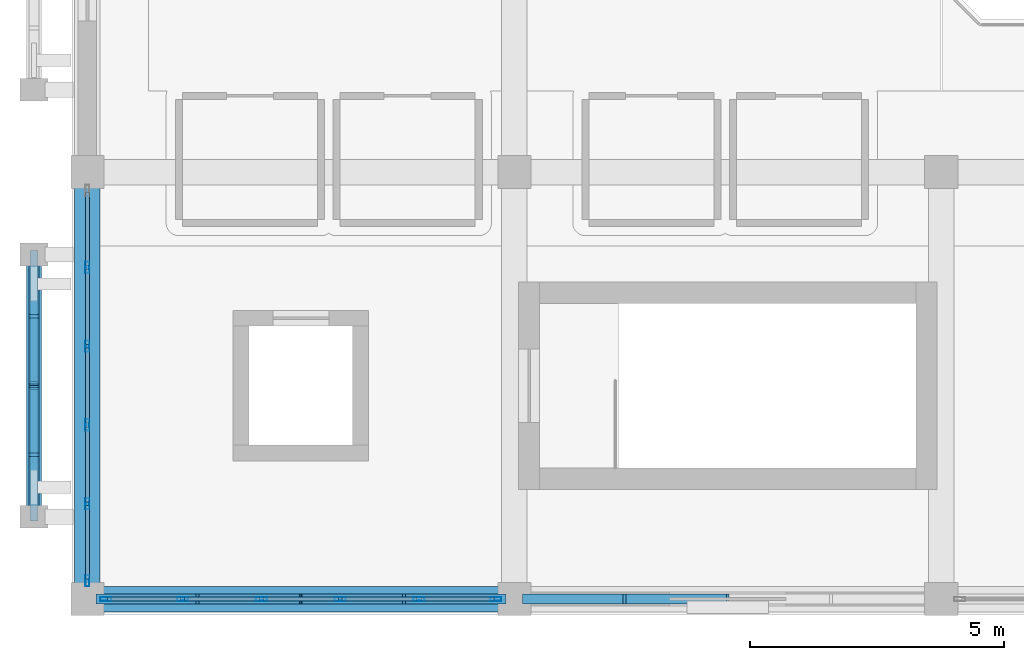
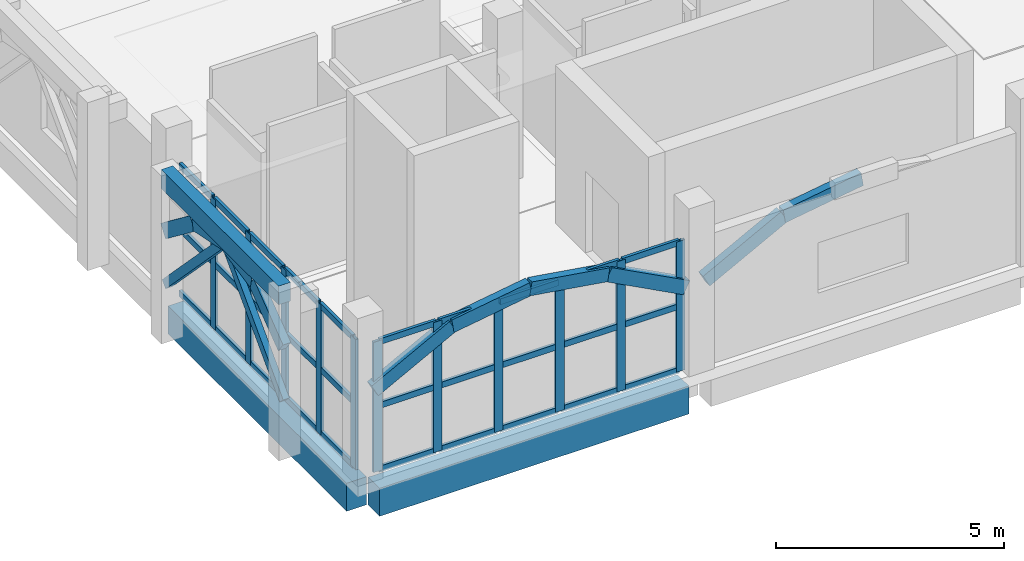
# One storey, part 2 of 16: 53 members, 3 beams, 2 elements without a shape of their own.
"""IFC4 building model written with IfcOpenShell, lengths in metres."""

from ifc_helpers import new_model, si_unit, direction, frame, origin, origin_2d, place, context, subcontext, project, spatial, rectangle, hollow_rectangle, extrude, material, layer, layer_set, material_profile, profile_set, type_object, element, aggregate, save


model = new_model("IFC4")

# Units and contexts
model_context = context("Model", 3, precision=1e-05, world=origin(), true_north=direction((0.0, 1.0)))
body_context = subcontext(model_context, "Body", "Model", "MODEL_VIEW")
ifc_project = project(units=[si_unit("LENGTHUNIT", "METRE"), si_unit("AREAUNIT", "SQUARE_METRE"), si_unit("VOLUMEUNIT", "CUBIC_METRE"), si_unit("PLANEANGLEUNIT", "RADIAN"), si_unit("MASSUNIT", "GRAM", prefix="KILO")], contexts=[model_context])

# Site, building, storey
site_placement = place(None, origin())
site = spatial("IfcSite", under=ifc_project, at=site_placement, CompositionType="ELEMENT")
building_placement = place(site_placement, origin())
building = spatial("IfcBuilding", under=site, at=building_placement, Name="Xazarin Passage Department Store", CompositionType="ELEMENT")
storey_placement = place(building_placement, frame((0.0, 0.0, 32.39990234375)))
storey = spatial("IfcBuildingStorey", under=building, at=storey_placement, Name="L07", CompositionType="ELEMENT", Elevation=32.39990234375)

# Curtain wall, members
ifc_material_1 = material(Name="Bronze anodised aluminium", Category="aluminium")
ifc_layer = layer(ifc_material_1, 0.199951171875)
ifc_layer_set = layer_set([ifc_layer], Name="Bronze anodised aluminium")
curtain_wall_type = type_object("IfcCurtainWallType", Name="ARC-CW-VIT2", PredefinedType="NOTDEFINED", material=ifc_layer_set)
curtain_wall_1_placement = place(storey_placement, origin())
curtain_wall_1 = element("IfcCurtainWall", 1, at=curtain_wall_1_placement, inside=storey, type_object=curtain_wall_type, Name="L07 V1 Curtain Wall 091", PredefinedType="NOTDEFINED")
ifc_material_profile_1 = material_profile(ifc_material_1, hollow_rectangle(XDim=0.074951171875, YDim=0.219970703125, WallThickness=0.0048828125, at=origin_2d()), Name="ALU 75x220")
ifc_profile_set_1 = profile_set([ifc_material_profile_1], Name="Bronze anodised aluminium")
member_type_1 = type_object("IfcMemberType", Name="ARC-CWM-75x220", PredefinedType="MULLION", material=ifc_profile_set_1)
member_1_placement = place(storey_placement, frame((0.362548828125, 76.39990234375, 0.0), z_axis=(0.0, 0.0, 1.0), x_axis=(0.0, 1.0, 0.0)))
member_1 = element("IfcMember", 2, at=member_1_placement, type_object=member_type_1, Name="CW2 mullion 1", PredefinedType="MULLION", context=body_context, shape_type="SweptSolid", body=[
    extrude(hollow_rectangle(XDim=0.074951171875, YDim=0.219970703125, WallThickness=0.0048828125, at=origin_2d()), origin(), (0.0, 0.0, 1.0), 3.489990234375),
])
member_2_placement = place(storey_placement, frame((1.875, 76.39990234375, 0.0), z_axis=(0.0, 0.0, 1.0), x_axis=(0.0, 1.0, 0.0)))
member_2 = element("IfcMember", 3, at=member_2_placement, type_object=member_type_1, Name="CW2 mullion 2", PredefinedType="MULLION", context=body_context, shape_type="SweptSolid", body=[
    extrude(hollow_rectangle(XDim=0.074951171875, YDim=0.219970703125, WallThickness=0.0048828125, at=origin_2d()), origin(), (0.0, 0.0, 1.0), 3.489990234375),
])
member_3_placement = place(storey_placement, frame((3.425048828125, 76.39990234375, 0.0), z_axis=(0.0, 0.0, 1.0), x_axis=(0.0, 1.0, 0.0)))
member_3 = element("IfcMember", 4, at=member_3_placement, type_object=member_type_1, Name="CW2 mullion 3", PredefinedType="MULLION", context=body_context, shape_type="SweptSolid", body=[
    extrude(hollow_rectangle(XDim=0.074951171875, YDim=0.219970703125, WallThickness=0.0048828125, at=origin_2d()), origin(), (0.0, 0.0, 1.0), 3.489990234375),
])
member_4_placement = place(storey_placement, frame((4.97509765625, 76.39990234375, 0.0), z_axis=(0.0, 0.0, 1.0), x_axis=(0.0, 1.0, 0.0)))
member_4 = element("IfcMember", 5, at=member_4_placement, type_object=member_type_1, Name="CW2 mullion 4", PredefinedType="MULLION", context=body_context, shape_type="SweptSolid", body=[
    extrude(hollow_rectangle(XDim=0.074951171875, YDim=0.219970703125, WallThickness=0.0048828125, at=origin_2d()), origin(), (0.0, 0.0, 1.0), 3.489990234375),
])
member_5_placement = place(storey_placement, frame((6.52490234375, 76.39990234375, 0.0), z_axis=(0.0, 0.0, 1.0), x_axis=(0.0, 1.0, 0.0)))
member_5 = element("IfcMember", 6, at=member_5_placement, type_object=member_type_1, Name="CW2 mullion 5", PredefinedType="MULLION", context=body_context, shape_type="SweptSolid", body=[
    extrude(hollow_rectangle(XDim=0.074951171875, YDim=0.219970703125, WallThickness=0.0048828125, at=origin_2d()), origin(), (0.0, 0.0, 1.0), 3.489990234375),
])
member_6_placement = place(storey_placement, frame((8.03759765625, 76.39990234375, 0.0), z_axis=(0.0, 0.0, 1.0), x_axis=(0.0, 1.0, 0.0)))
member_6 = element("IfcMember", 7, at=member_6_placement, type_object=member_type_1, Name="CW2 mullion 6", PredefinedType="MULLION", context=body_context, shape_type="SweptSolid", body=[
    extrude(hollow_rectangle(XDim=0.074951171875, YDim=0.219970703125, WallThickness=0.0048828125, at=origin_2d()), origin(), (0.0, 0.0, 1.0), 3.489990234375),
])

curtain_wall_2_placement = place(storey_placement, origin())
curtain_wall_2 = element("IfcCurtainWall", 8, at=curtain_wall_2_placement, inside=storey, type_object=curtain_wall_type, Name="L07 V1 Curtain Wall 095", PredefinedType="NOTDEFINED")
member_7_placement = place(storey_placement, frame((0.0, 76.762451171875, 0.0), z_axis=(0.0, 0.0, 1.0), x_axis=(-1.0, 0.0, 0.0)))
member_7 = element("IfcMember", 9, at=member_7_placement, type_object=member_type_1, Name="CW2 mullion 1", PredefinedType="MULLION", context=body_context, shape_type="SweptSolid", body=[
    extrude(hollow_rectangle(XDim=0.074951171875, YDim=0.219970703125, WallThickness=0.0048828125, at=origin_2d()), origin(), (0.0, 0.0, 1.0), 3.489990234375),
])
member_8_placement = place(storey_placement, frame((0.0, 78.27490234375, 0.0), z_axis=(0.0, 0.0, 1.0), x_axis=(-1.0, 0.0, 0.0)))
member_8 = element("IfcMember", 10, at=member_8_placement, type_object=member_type_1, Name="CW2 mullion 2", PredefinedType="MULLION", context=body_context, shape_type="SweptSolid", body=[
    extrude(hollow_rectangle(XDim=0.074951171875, YDim=0.219970703125, WallThickness=0.0048828125, at=origin_2d()), origin(), (0.0, 0.0, 1.0), 3.489990234375),
])
member_9_placement = place(storey_placement, frame((0.0, 79.824951171875, 0.0), z_axis=(0.0, 0.0, 1.0), x_axis=(-1.0, 0.0, 0.0)))
member_9 = element("IfcMember", 11, at=member_9_placement, type_object=member_type_1, Name="CW2 mullion 3", PredefinedType="MULLION", context=body_context, shape_type="SweptSolid", body=[
    extrude(hollow_rectangle(XDim=0.074951171875, YDim=0.219970703125, WallThickness=0.0048828125, at=origin_2d()), origin(), (0.0, 0.0, 1.0), 3.489990234375),
])
member_10_placement = place(storey_placement, frame((0.0, 81.375, 0.0), z_axis=(0.0, 0.0, 1.0), x_axis=(-1.0, 0.0, 0.0)))
member_10 = element("IfcMember", 12, at=member_10_placement, type_object=member_type_1, Name="CW2 mullion 4", PredefinedType="MULLION", context=body_context, shape_type="SweptSolid", body=[
    extrude(hollow_rectangle(XDim=0.074951171875, YDim=0.219970703125, WallThickness=0.0048828125, at=origin_2d()), origin(), (0.0, 0.0, 1.0), 3.489990234375),
])
member_11_placement = place(storey_placement, frame((0.0, 82.925048828125, 0.0), z_axis=(0.0, 0.0, 1.0), x_axis=(-1.0, 0.0, 0.0)))
member_11 = element("IfcMember", 13, at=member_11_placement, type_object=member_type_1, Name="CW2 mullion 5", PredefinedType="MULLION", context=body_context, shape_type="SweptSolid", body=[
    extrude(hollow_rectangle(XDim=0.074951171875, YDim=0.219970703125, WallThickness=0.0048828125, at=origin_2d()), origin(), (0.0, 0.0, 1.0), 3.489990234375),
])

# Member
ifc_material_profile_2 = material_profile(ifc_material_1, hollow_rectangle(XDim=0.074951171875, YDim=0.159912109375, WallThickness=0.00439453125, at=origin_2d()), Name="ALU 75x160")
ifc_profile_set_2 = profile_set([ifc_material_profile_2], Name="Bronze anodised aluminium")
member_type_2 = type_object("IfcMemberType", Name="ARC-CWT-75x160", PredefinedType="USERDEFINED", material=ifc_profile_set_2)
member_12_placement = place(storey_placement, frame((0.39990234375, 76.39990234375, 0.03759765625), z_axis=(1.0, 0.0, 0.0), x_axis=(0.0, 1.0, 0.0)))
member_12 = element("IfcMember", 14, at=member_12_placement, type_object=member_type_2, Name="CW2 transom 1.1", ObjectType="TRANSOM", PredefinedType="USERDEFINED", context=body_context, shape_type="SweptSolid", body=[
    extrude(hollow_rectangle(XDim=0.074951171875, YDim=0.159912109375, WallThickness=0.00439453125, at=origin_2d()), origin(), (0.0, 0.0, 1.0), 1.4375),
])

member_13_placement = place(storey_placement, frame((0.39990234375, 76.39990234375, 1.7451171875), z_axis=(1.0, 0.0, 0.0), x_axis=(0.0, 1.0, 0.0)))
member_13 = element("IfcMember", 15, at=member_13_placement, type_object=member_type_2, Name="CW2 transom 1.2", ObjectType="TRANSOM", PredefinedType="USERDEFINED", context=body_context, shape_type="SweptSolid", body=[
    extrude(hollow_rectangle(XDim=0.074951171875, YDim=0.159912109375, WallThickness=0.00439453125, at=origin_2d()), origin(), (0.0, 0.0, 1.0), 1.4375),
])

member_14_placement = place(storey_placement, frame((0.39990234375, 76.39990234375, 3.45263671875), z_axis=(1.0, 0.0, 0.0), x_axis=(0.0, 1.0, 0.0)))
member_14 = element("IfcMember", 16, at=member_14_placement, type_object=member_type_2, Name="CW2 transom 1.3", ObjectType="TRANSOM", PredefinedType="USERDEFINED", context=body_context, shape_type="SweptSolid", body=[
    extrude(hollow_rectangle(XDim=0.074951171875, YDim=0.159912109375, WallThickness=0.00439453125, at=origin_2d()), origin(), (0.0, 0.0, 1.0), 1.4375),
])

member_15_placement = place(storey_placement, frame((1.91259765625, 76.39990234375, 0.03759765625), z_axis=(1.0, 0.0, 0.0), x_axis=(0.0, 1.0, 0.0)))
member_15 = element("IfcMember", 17, at=member_15_placement, type_object=member_type_2, Name="CW2 transom 2.1", ObjectType="TRANSOM", PredefinedType="USERDEFINED", context=body_context, shape_type="SweptSolid", body=[
    extrude(hollow_rectangle(XDim=0.074951171875, YDim=0.159912109375, WallThickness=0.00439453125, at=origin_2d()), origin(), (0.0, 0.0, 1.0), 1.474853515625),
])

member_16_placement = place(storey_placement, frame((1.91259765625, 76.39990234375, 1.7451171875), z_axis=(1.0, 0.0, 0.0), x_axis=(0.0, 1.0, 0.0)))
member_16 = element("IfcMember", 18, at=member_16_placement, type_object=member_type_2, Name="CW2 transom 2.2", ObjectType="TRANSOM", PredefinedType="USERDEFINED", context=body_context, shape_type="SweptSolid", body=[
    extrude(hollow_rectangle(XDim=0.074951171875, YDim=0.159912109375, WallThickness=0.00439453125, at=origin_2d()), origin(), (0.0, 0.0, 1.0), 1.474853515625),
])

member_17_placement = place(storey_placement, frame((1.91259765625, 76.39990234375, 3.45263671875), z_axis=(1.0, 0.0, 0.0), x_axis=(0.0, 1.0, 0.0)))
member_17 = element("IfcMember", 19, at=member_17_placement, type_object=member_type_2, Name="CW2 transom 2.3", ObjectType="TRANSOM", PredefinedType="USERDEFINED", context=body_context, shape_type="SweptSolid", body=[
    extrude(hollow_rectangle(XDim=0.074951171875, YDim=0.159912109375, WallThickness=0.00439453125, at=origin_2d()), origin(), (0.0, 0.0, 1.0), 1.474853515625),
])

member_18_placement = place(storey_placement, frame((3.46240234375, 76.39990234375, 0.03759765625), z_axis=(1.0, 0.0, 0.0), x_axis=(0.0, 1.0, 0.0)))
member_18 = element("IfcMember", 20, at=member_18_placement, type_object=member_type_2, Name="CW2 transom 3.1", ObjectType="TRANSOM", PredefinedType="USERDEFINED", context=body_context, shape_type="SweptSolid", body=[
    extrude(hollow_rectangle(XDim=0.074951171875, YDim=0.159912109375, WallThickness=0.00439453125, at=origin_2d()), origin(), (0.0, 0.0, 1.0), 1.47509765625),
])

member_19_placement = place(storey_placement, frame((3.46240234375, 76.39990234375, 1.7451171875), z_axis=(1.0, 0.0, 0.0), x_axis=(0.0, 1.0, 0.0)))
member_19 = element("IfcMember", 21, at=member_19_placement, type_object=member_type_2, Name="CW2 transom 3.2", ObjectType="TRANSOM", PredefinedType="USERDEFINED", context=body_context, shape_type="SweptSolid", body=[
    extrude(hollow_rectangle(XDim=0.074951171875, YDim=0.159912109375, WallThickness=0.00439453125, at=origin_2d()), origin(), (0.0, 0.0, 1.0), 1.47509765625),
])

member_20_placement = place(storey_placement, frame((3.46240234375, 76.39990234375, 3.45263671875), z_axis=(1.0, 0.0, 0.0), x_axis=(0.0, 1.0, 0.0)))
member_20 = element("IfcMember", 22, at=member_20_placement, type_object=member_type_2, Name="CW2 transom 3.3", ObjectType="TRANSOM", PredefinedType="USERDEFINED", context=body_context, shape_type="SweptSolid", body=[
    extrude(hollow_rectangle(XDim=0.074951171875, YDim=0.159912109375, WallThickness=0.00439453125, at=origin_2d()), origin(), (0.0, 0.0, 1.0), 1.47509765625),
])

member_21_placement = place(storey_placement, frame((5.012451171875, 76.39990234375, 0.03759765625), z_axis=(1.0, 0.0, 0.0), x_axis=(0.0, 1.0, 0.0)))
member_21 = element("IfcMember", 23, at=member_21_placement, type_object=member_type_2, Name="CW2 transom 4.1", ObjectType="TRANSOM", PredefinedType="USERDEFINED", context=body_context, shape_type="SweptSolid", body=[
    extrude(hollow_rectangle(XDim=0.074951171875, YDim=0.159912109375, WallThickness=0.00439453125, at=origin_2d()), origin(), (0.0, 0.0, 1.0), 1.47509765625),
])

member_22_placement = place(storey_placement, frame((5.012451171875, 76.39990234375, 1.7451171875), z_axis=(1.0, 0.0, 0.0), x_axis=(0.0, 1.0, 0.0)))
member_22 = element("IfcMember", 24, at=member_22_placement, type_object=member_type_2, Name="CW2 transom 4.2", ObjectType="TRANSOM", PredefinedType="USERDEFINED", context=body_context, shape_type="SweptSolid", body=[
    extrude(hollow_rectangle(XDim=0.074951171875, YDim=0.159912109375, WallThickness=0.00439453125, at=origin_2d()), origin(), (0.0, 0.0, 1.0), 1.47509765625),
])

member_23_placement = place(storey_placement, frame((5.012451171875, 76.39990234375, 3.45263671875), z_axis=(1.0, 0.0, 0.0), x_axis=(0.0, 1.0, 0.0)))
member_23 = element("IfcMember", 25, at=member_23_placement, type_object=member_type_2, Name="CW2 transom 4.3", ObjectType="TRANSOM", PredefinedType="USERDEFINED", context=body_context, shape_type="SweptSolid", body=[
    extrude(hollow_rectangle(XDim=0.074951171875, YDim=0.159912109375, WallThickness=0.00439453125, at=origin_2d()), origin(), (0.0, 0.0, 1.0), 1.47509765625),
])

member_24_placement = place(storey_placement, frame((6.5625, 76.39990234375, 0.03759765625), z_axis=(1.0, 0.0, 0.0), x_axis=(0.0, 1.0, 0.0)))
member_24 = element("IfcMember", 26, at=member_24_placement, type_object=member_type_2, Name="CW2 transom 5.1", ObjectType="TRANSOM", PredefinedType="USERDEFINED", context=body_context, shape_type="SweptSolid", body=[
    extrude(hollow_rectangle(XDim=0.074951171875, YDim=0.159912109375, WallThickness=0.00439453125, at=origin_2d()), origin(), (0.0, 0.0, 1.0), 1.4375),
])

member_25_placement = place(storey_placement, frame((6.5625, 76.39990234375, 1.7451171875), z_axis=(1.0, 0.0, 0.0), x_axis=(0.0, 1.0, 0.0)))
member_25 = element("IfcMember", 27, at=member_25_placement, type_object=member_type_2, Name="CW2 transom 5.2", ObjectType="TRANSOM", PredefinedType="USERDEFINED", context=body_context, shape_type="SweptSolid", body=[
    extrude(hollow_rectangle(XDim=0.074951171875, YDim=0.159912109375, WallThickness=0.00439453125, at=origin_2d()), origin(), (0.0, 0.0, 1.0), 1.4375),
])

member_26_placement = place(storey_placement, frame((6.5625, 76.39990234375, 3.45263671875), z_axis=(1.0, 0.0, 0.0), x_axis=(0.0, 1.0, 0.0)))
member_26 = element("IfcMember", 28, at=member_26_placement, type_object=member_type_2, Name="CW2 transom 5.3", ObjectType="TRANSOM", PredefinedType="USERDEFINED", context=body_context, shape_type="SweptSolid", body=[
    extrude(hollow_rectangle(XDim=0.074951171875, YDim=0.159912109375, WallThickness=0.00439453125, at=origin_2d()), origin(), (0.0, 0.0, 1.0), 1.4375),
])

aggregate(curtain_wall_1, [member_1, member_2, member_3, member_4, member_5, member_6, member_12, member_13, member_14, member_15, member_16, member_17, member_18, member_19, member_20, member_21, member_22, member_23, member_24, member_25, member_26])

member_27_placement = place(storey_placement, frame((0.0, 76.800048828125, 0.03759765625), z_axis=(0.0, 1.0, 0.0), x_axis=(-1.0, 0.0, 0.0)))
member_27 = element("IfcMember", 29, at=member_27_placement, type_object=member_type_2, Name="CW2 transom 1.1", ObjectType="TRANSOM", PredefinedType="USERDEFINED", context=body_context, shape_type="SweptSolid", body=[
    extrude(hollow_rectangle(XDim=0.074951171875, YDim=0.159912109375, WallThickness=0.00439453125, at=origin_2d()), origin(), (0.0, 0.0, 1.0), 1.4375),
])

member_28_placement = place(storey_placement, frame((0.0, 76.800048828125, 1.7451171875), z_axis=(0.0, 1.0, 0.0), x_axis=(-1.0, 0.0, 0.0)))
member_28 = element("IfcMember", 30, at=member_28_placement, type_object=member_type_2, Name="CW2 transom 1.2", ObjectType="TRANSOM", PredefinedType="USERDEFINED", context=body_context, shape_type="SweptSolid", body=[
    extrude(hollow_rectangle(XDim=0.074951171875, YDim=0.159912109375, WallThickness=0.00439453125, at=origin_2d()), origin(), (0.0, 0.0, 1.0), 1.4375),
])

member_29_placement = place(storey_placement, frame((0.0, 76.800048828125, 3.45263671875), z_axis=(0.0, 1.0, 0.0), x_axis=(-1.0, 0.0, 0.0)))
member_29 = element("IfcMember", 31, at=member_29_placement, type_object=member_type_2, Name="CW2 transom 1.3", ObjectType="TRANSOM", PredefinedType="USERDEFINED", context=body_context, shape_type="SweptSolid", body=[
    extrude(hollow_rectangle(XDim=0.074951171875, YDim=0.159912109375, WallThickness=0.00439453125, at=origin_2d()), origin(), (0.0, 0.0, 1.0), 1.4375),
])

member_30_placement = place(storey_placement, frame((0.0, 78.3125, 0.03759765625), z_axis=(0.0, 1.0, 0.0), x_axis=(-1.0, 0.0, 0.0)))
member_30 = element("IfcMember", 32, at=member_30_placement, type_object=member_type_2, Name="CW2 transom 2.1", ObjectType="TRANSOM", PredefinedType="USERDEFINED", context=body_context, shape_type="SweptSolid", body=[
    extrude(hollow_rectangle(XDim=0.074951171875, YDim=0.159912109375, WallThickness=0.00439453125, at=origin_2d()), origin(), (0.0, 0.0, 1.0), 1.47509765625),
])

member_31_placement = place(storey_placement, frame((0.0, 78.3125, 1.7451171875), z_axis=(0.0, 1.0, 0.0), x_axis=(-1.0, 0.0, 0.0)))
member_31 = element("IfcMember", 33, at=member_31_placement, type_object=member_type_2, Name="CW2 transom 2.2", ObjectType="TRANSOM", PredefinedType="USERDEFINED", context=body_context, shape_type="SweptSolid", body=[
    extrude(hollow_rectangle(XDim=0.074951171875, YDim=0.159912109375, WallThickness=0.00439453125, at=origin_2d()), origin(), (0.0, 0.0, 1.0), 1.47509765625),
])

member_32_placement = place(storey_placement, frame((0.0, 78.3125, 3.45263671875), z_axis=(0.0, 1.0, 0.0), x_axis=(-1.0, 0.0, 0.0)))
member_32 = element("IfcMember", 34, at=member_32_placement, type_object=member_type_2, Name="CW2 transom 2.3", ObjectType="TRANSOM", PredefinedType="USERDEFINED", context=body_context, shape_type="SweptSolid", body=[
    extrude(hollow_rectangle(XDim=0.074951171875, YDim=0.159912109375, WallThickness=0.00439453125, at=origin_2d()), origin(), (0.0, 0.0, 1.0), 1.47509765625),
])

member_33_placement = place(storey_placement, frame((0.0, 79.862548828125, 0.03759765625), z_axis=(0.0, 1.0, 0.0), x_axis=(-1.0, 0.0, 0.0)))
member_33 = element("IfcMember", 35, at=member_33_placement, type_object=member_type_2, Name="CW2 transom 3.1", ObjectType="TRANSOM", PredefinedType="USERDEFINED", context=body_context, shape_type="SweptSolid", body=[
    extrude(hollow_rectangle(XDim=0.074951171875, YDim=0.159912109375, WallThickness=0.00439453125, at=origin_2d()), origin(), (0.0, 0.0, 1.0), 1.474853515625),
])

member_34_placement = place(storey_placement, frame((0.0, 79.862548828125, 1.7451171875), z_axis=(0.0, 1.0, 0.0), x_axis=(-1.0, 0.0, 0.0)))
member_34 = element("IfcMember", 36, at=member_34_placement, type_object=member_type_2, Name="CW2 transom 3.2", ObjectType="TRANSOM", PredefinedType="USERDEFINED", context=body_context, shape_type="SweptSolid", body=[
    extrude(hollow_rectangle(XDim=0.074951171875, YDim=0.159912109375, WallThickness=0.00439453125, at=origin_2d()), origin(), (0.0, 0.0, 1.0), 1.474853515625),
])

member_35_placement = place(storey_placement, frame((0.0, 79.862548828125, 3.45263671875), z_axis=(0.0, 1.0, 0.0), x_axis=(-1.0, 0.0, 0.0)))
member_35 = element("IfcMember", 37, at=member_35_placement, type_object=member_type_2, Name="CW2 transom 3.3", ObjectType="TRANSOM", PredefinedType="USERDEFINED", context=body_context, shape_type="SweptSolid", body=[
    extrude(hollow_rectangle(XDim=0.074951171875, YDim=0.159912109375, WallThickness=0.00439453125, at=origin_2d()), origin(), (0.0, 0.0, 1.0), 1.474853515625),
])

member_36_placement = place(storey_placement, frame((0.0, 81.41259765625, 0.03759765625), z_axis=(0.0, 1.0, 0.0), x_axis=(-1.0, 0.0, 0.0)))
member_36 = element("IfcMember", 38, at=member_36_placement, type_object=member_type_2, Name="CW2 transom 4.1", ObjectType="TRANSOM", PredefinedType="USERDEFINED", context=body_context, shape_type="SweptSolid", body=[
    extrude(hollow_rectangle(XDim=0.074951171875, YDim=0.159912109375, WallThickness=0.00439453125, at=origin_2d()), origin(), (0.0, 0.0, 1.0), 1.474853515625),
])

member_37_placement = place(storey_placement, frame((0.0, 81.41259765625, 1.7451171875), z_axis=(0.0, 1.0, 0.0), x_axis=(-1.0, 0.0, 0.0)))
member_37 = element("IfcMember", 39, at=member_37_placement, type_object=member_type_2, Name="CW2 transom 4.2", ObjectType="TRANSOM", PredefinedType="USERDEFINED", context=body_context, shape_type="SweptSolid", body=[
    extrude(hollow_rectangle(XDim=0.074951171875, YDim=0.159912109375, WallThickness=0.00439453125, at=origin_2d()), origin(), (0.0, 0.0, 1.0), 1.474853515625),
])

member_38_placement = place(storey_placement, frame((0.0, 81.41259765625, 3.45263671875), z_axis=(0.0, 1.0, 0.0), x_axis=(-1.0, 0.0, 0.0)))
member_38 = element("IfcMember", 40, at=member_38_placement, type_object=member_type_2, Name="CW2 transom 4.3", ObjectType="TRANSOM", PredefinedType="USERDEFINED", context=body_context, shape_type="SweptSolid", body=[
    extrude(hollow_rectangle(XDim=0.074951171875, YDim=0.159912109375, WallThickness=0.00439453125, at=origin_2d()), origin(), (0.0, 0.0, 1.0), 1.474853515625),
])

member_39_placement = place(storey_placement, frame((0.0, 82.96240234375, 0.03759765625), z_axis=(0.0, 1.0, 0.0), x_axis=(-1.0, 0.0, 0.0)))
member_39 = element("IfcMember", 41, at=member_39_placement, type_object=member_type_2, Name="CW2 transom 5.1", ObjectType="TRANSOM", PredefinedType="USERDEFINED", context=body_context, shape_type="SweptSolid", body=[
    extrude(hollow_rectangle(XDim=0.074951171875, YDim=0.159912109375, WallThickness=0.00439453125, at=origin_2d()), origin(), (0.0, 0.0, 1.0), 1.4375),
])

member_40_placement = place(storey_placement, frame((0.0, 82.96240234375, 1.7451171875), z_axis=(0.0, 1.0, 0.0), x_axis=(-1.0, 0.0, 0.0)))
member_40 = element("IfcMember", 42, at=member_40_placement, type_object=member_type_2, Name="CW2 transom 5.2", ObjectType="TRANSOM", PredefinedType="USERDEFINED", context=body_context, shape_type="SweptSolid", body=[
    extrude(hollow_rectangle(XDim=0.074951171875, YDim=0.159912109375, WallThickness=0.00439453125, at=origin_2d()), origin(), (0.0, 0.0, 1.0), 1.4375),
])

member_41_placement = place(storey_placement, frame((0.0, 82.96240234375, 3.45263671875), z_axis=(0.0, 1.0, 0.0), x_axis=(-1.0, 0.0, 0.0)))
member_41 = element("IfcMember", 43, at=member_41_placement, type_object=member_type_2, Name="CW2 transom 5.3", ObjectType="TRANSOM", PredefinedType="USERDEFINED", context=body_context, shape_type="SweptSolid", body=[
    extrude(hollow_rectangle(XDim=0.074951171875, YDim=0.159912109375, WallThickness=0.00439453125, at=origin_2d()), origin(), (0.0, 0.0, 1.0), 1.4375),
])

aggregate(curtain_wall_2, [member_7, member_8, member_9, member_10, member_11, member_27, member_28, member_29, member_30, member_31, member_32, member_33, member_34, member_35, member_36, member_37, member_38, member_39, member_40, member_41])

# Beams
ifc_material_2 = material(Name="Concrete C35/45", Category="concrete")
ifc_material_profile_3 = material_profile(ifc_material_2, rectangle(XDim=0.300048828125, YDim=0.5, at=origin_2d()), Name="RC 300x500")
ifc_profile_set_3 = profile_set([ifc_material_profile_3], Name="Concrete C35/45")
beam_type_1 = type_object("IfcBeamType", Name="STR-BM-LN300x500", PredefinedType="LINTEL", material=ifc_profile_set_3)
beam_placement = place(storey_placement, frame((-1.050048828125, 78.02001953125, 4.25), z_axis=(0.0, 1.0, 0.0), x_axis=(-1.0, 0.0, 0.0)))
element("IfcBeam", 44, at=beam_placement, inside=storey, type_object=beam_type_1, Name="L07 V1 Colonnade Spandrel Beam 011", PredefinedType="LINTEL", context=body_context, shape_type="SweptSolid", body=[
    extrude(rectangle(XDim=0.300048828125, YDim=0.5, at=origin_2d()), origin(), (0.0, 0.0, 1.0), 5.159912109375),
])
ifc_material_profile_4 = material_profile(ifc_material_2, rectangle(XDim=0.5, YDim=0.75, at=origin_2d()), Name="RC 500x750")
ifc_profile_set_4 = profile_set([ifc_material_profile_4], Name="Concrete C35/45")
beam_type_2 = type_object("IfcBeamType", Name="STR-BM-SP500x750", PredefinedType="SPANDREL", material=ifc_profile_set_4)
for number, where, z_axis, x_axis, name in (
    (45, (0.280029296875, 76.39990234375, -0.6748046875), (1.0, 0.0, 0.0), (0.0, 1.0, 0.0), "L07 Grid Beam L/1-2"),
    (46, (0.0, 76.679931640625, -0.6748046875), (0.0, 1.0, 0.0), (-1.0, 0.0, 0.0), "L07 Grid Beam 1/L-M"),
):
    element("IfcBeam", number, at=place(storey_placement, frame(where, z_axis=z_axis, x_axis=x_axis)), inside=storey, type_object=beam_type_2, Name=name, PredefinedType="SPANDREL", context=body_context, shape_type="SweptSolid", body=[
        extrude(rectangle(XDim=0.5, YDim=0.75, at=origin_2d()), origin(), (0.0, 0.0, 1.0), 7.840087890625),
    ])

# Members
ifc_material_3 = material(Name="Concrete C40/50", Category="concrete")
ifc_material_profile_5 = material_profile(ifc_material_3, rectangle(XDim=0.199951171875, YDim=0.360107421875, at=origin_2d()), Name="RC 200x360")
ifc_profile_set_5 = profile_set([ifc_material_profile_5], Name="Concrete C40/50")
member_type_3 = type_object("IfcMemberType", Name="STR-MEM-ARC360", PredefinedType="CHORD", material=ifc_profile_set_5)
member_42_placement = place(storey_placement, frame((-1.050048828125, 78.02001953125, 2.830078125), z_axis=(0.0, 0.79440903847, 0.607383140692), x_axis=(-1.0, 0.0, 0.0)))
element("IfcMember", 47, at=member_42_placement, inside=storey, type_object=member_type_3, Name="L07 V1 Pierced Lattice Curved Arch 011.1", PredefinedType="CHORD", context=body_context, shape_type="SweptSolid", body=[
    extrude(rectangle(XDim=0.199951171875, YDim=0.360107421875, at=origin_2d()), origin(), (0.0, 0.0, 1.0), 1.623779296875),
])
member_43_placement = place(storey_placement, frame((-1.050048828125, 79.31005859375, 3.81640625), z_axis=(0.0, 0.979744705887, 0.200250621188), x_axis=(-1.0, 0.0, 0.0)))
element("IfcMember", 48, at=member_43_placement, inside=storey, type_object=member_type_3, Name="L07 V1 Pierced Lattice Curved Arch 011.2", PredefinedType="CHORD", context=body_context, shape_type="SweptSolid", body=[
    extrude(rectangle(XDim=0.199951171875, YDim=0.360107421875, at=origin_2d()), origin(), (0.0, 0.0, 1.0), 1.316650390625),
])
member_44_placement = place(storey_placement, frame((-1.050048828125, 80.60009765625, 4.080078125), z_axis=(0.0, 0.979737268571, -0.2002870055), x_axis=(-1.0, 0.0, 0.0)))
element("IfcMember", 49, at=member_44_placement, inside=storey, type_object=member_type_3, Name="L07 V1 Pierced Lattice Curved Arch 011.3", PredefinedType="CHORD", context=body_context, shape_type="SweptSolid", body=[
    extrude(rectangle(XDim=0.199951171875, YDim=0.360107421875, at=origin_2d()), origin(), (0.0, 0.0, 1.0), 1.31640625),
])
member_45_placement = place(storey_placement, frame((-1.050048828125, 81.889892578125, 3.81640625), z_axis=(0.0, 0.79440903847, -0.607383140692), x_axis=(-1.0, 0.0, 0.0)))
element("IfcMember", 50, at=member_45_placement, inside=storey, type_object=member_type_3, Name="L07 V1 Pierced Lattice Curved Arch 011.4", PredefinedType="CHORD", context=body_context, shape_type="SweptSolid", body=[
    extrude(rectangle(XDim=0.199951171875, YDim=0.360107421875, at=origin_2d()), origin(), (0.0, 0.0, 1.0), 1.623779296875),
])
member_46_placement = place(storey_placement, frame((0.25, 76.39990234375, 2.22998046875), z_axis=(0.88473311603, 0.0, 0.466097965454), x_axis=(0.0, 1.0, 0.0)))
element("IfcMember", 51, at=member_46_placement, inside=storey, type_object=member_type_3, Name="L07 V1 Upper Setback Pierced Arch 041.1", PredefinedType="CHORD", context=body_context, shape_type="SweptSolid", body=[
    extrude(rectangle(XDim=0.199951171875, YDim=0.360107421875, at=origin_2d()), origin(), (0.0, 0.0, 1.0), 2.232421875),
])
member_47_placement = place(storey_placement, frame((2.22509765625, 76.39990234375, 3.2705078125), z_axis=(0.987935652704, 0.0, 0.154864928623), x_axis=(0.0, 1.0, 0.0)))
element("IfcMember", 52, at=member_47_placement, inside=storey, type_object=member_type_3, Name="L07 V1 Upper Setback Pierced Arch 041.2", PredefinedType="CHORD", context=body_context, shape_type="SweptSolid", body=[
    extrude(rectangle(XDim=0.199951171875, YDim=0.360107421875, at=origin_2d()), origin(), (0.0, 0.0, 1.0), 1.9990234375),
])
member_48_placement = place(storey_placement, frame((4.199951171875, 76.39990234375, 3.580078125), z_axis=(0.987938581312, 0.0, -0.154846244883), x_axis=(0.0, 1.0, 0.0)))
element("IfcMember", 53, at=member_48_placement, inside=storey, type_object=member_type_3, Name="L07 V1 Upper Setback Pierced Arch 041.3", PredefinedType="CHORD", context=body_context, shape_type="SweptSolid", body=[
    extrude(rectangle(XDim=0.199951171875, YDim=0.360107421875, at=origin_2d()), origin(), (0.0, 0.0, 1.0), 1.999267578125),
])
member_49_placement = place(storey_placement, frame((6.175048828125, 76.39990234375, 3.2705078125), z_axis=(0.884709354127, 0.0, -0.466143066793), x_axis=(0.0, 1.0, 0.0)))
element("IfcMember", 54, at=member_49_placement, inside=storey, type_object=member_type_3, Name="L07 V1 Upper Setback Pierced Arch 041.4", PredefinedType="CHORD", context=body_context, shape_type="SweptSolid", body=[
    extrude(rectangle(XDim=0.199951171875, YDim=0.360107421875, at=origin_2d()), origin(), (0.0, 0.0, 1.0), 2.232177734375),
])
member_50_placement = place(storey_placement, frame((8.64990234375, 76.39990234375, 2.22998046875), z_axis=(0.88473311603, 0.0, 0.466097965454), x_axis=(0.0, 1.0, 0.0)))
element("IfcMember", 55, at=member_50_placement, inside=storey, type_object=member_type_3, Name="L07 V1 Upper Setback Pierced Arch 042.1", PredefinedType="CHORD", context=body_context, shape_type="SweptSolid", body=[
    extrude(rectangle(XDim=0.199951171875, YDim=0.360107421875, at=origin_2d()), origin(), (0.0, 0.0, 1.0), 2.232421875),
])
member_51_placement = place(storey_placement, frame((10.625, 76.39990234375, 3.2705078125), z_axis=(0.987938581312, 0.0, 0.154846244883), x_axis=(0.0, 1.0, 0.0)))
element("IfcMember", 56, at=member_51_placement, inside=storey, type_object=member_type_3, Name="L07 V1 Upper Setback Pierced Arch 042.2", PredefinedType="CHORD", context=body_context, shape_type="SweptSolid", body=[
    extrude(rectangle(XDim=0.199951171875, YDim=0.360107421875, at=origin_2d()), origin(), (0.0, 0.0, 1.0), 1.999267578125),
])
ifc_material_profile_6 = material_profile(ifc_material_3, rectangle(XDim=0.159912109375, YDim=0.219970703125, at=origin_2d()), Name="RC 160x220")
ifc_profile_set_6 = profile_set([ifc_material_profile_6], Name="Concrete C40/50")
member_type_4 = type_object("IfcMemberType", Name="STR-MEM-TRC220", PredefinedType="CHORD", material=ifc_profile_set_6)
for number, where, z_axis, x_axis, name in (
    (57, (-1.050048828125, 80.60009765625, 4.080078125), (0.0, -0.693558444435, -0.720400363793), (1.0, 0.0, 0.0), "L07 V1 Upper Lattice Tracery Arch 011L"),
    (58, (-1.050048828125, 80.60009765625, 4.080078125), (0.0, 0.693524382622, -0.72043315492), (-1.0, 0.0, 0.0), "L07 V1 Upper Lattice Tracery Arch 011R"),
):
    element("IfcMember", number, at=place(storey_placement, frame(where, z_axis=z_axis, x_axis=x_axis)), inside=storey, type_object=member_type_4, Name=name, PredefinedType="CHORD", context=body_context, shape_type="SweptSolid", body=[
        extrude(rectangle(XDim=0.159912109375, YDim=0.219970703125, at=origin_2d()), origin(), (0.0, 0.0, 1.0), 3.719970703125),
    ])

save(model, "model.ifc")
